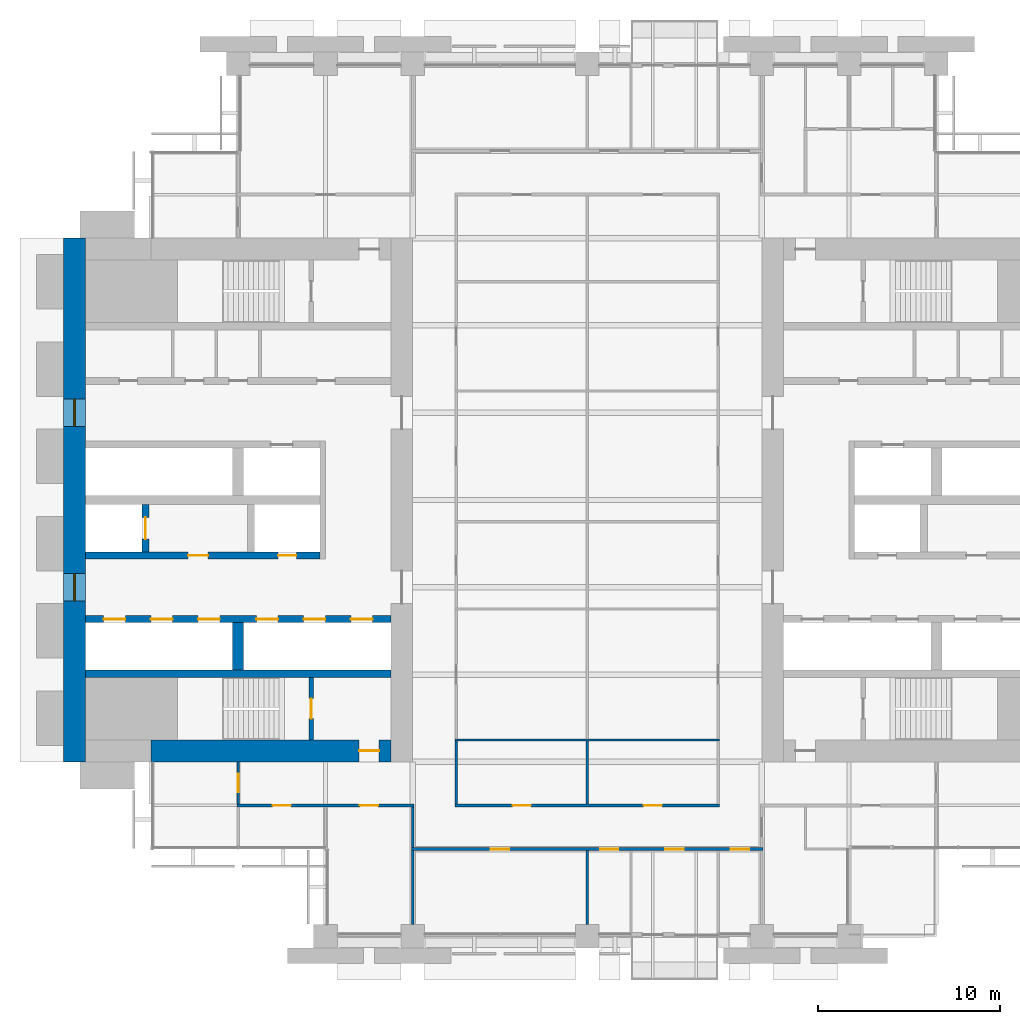
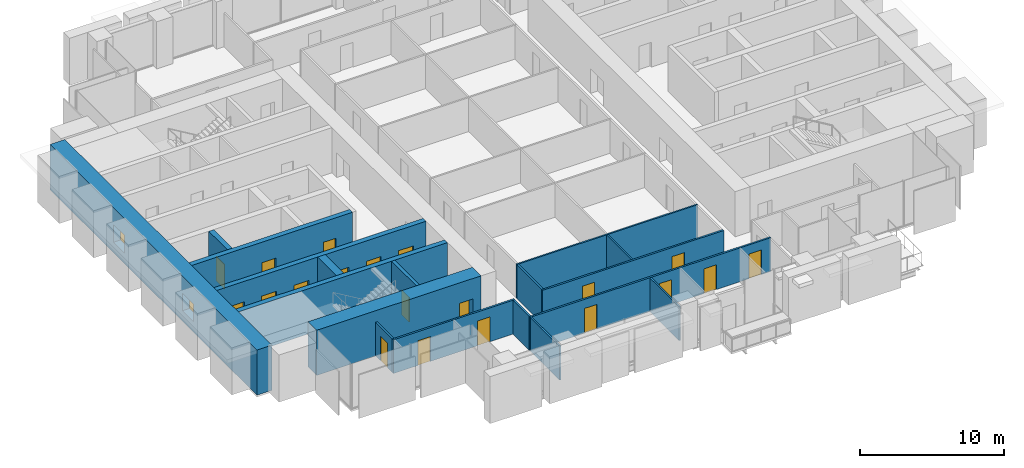
# One storey, part 9 of 15: 20 doors, 18 walls, 2 windows, 22 openings.
"""IFC4 building model written with IfcOpenShell, lengths in metres."""

from ifc_helpers import new_model, si_unit, direction, frame, frame_2d, origin, place, context, subcontext, project, spatial, rectangle, extrude, material, layer, layer_set, type_object, element, fill, save


model = new_model("IFC4")

# Units and contexts
model_context = context("Model", 3, precision=1e-05, world=origin(), true_north=direction((0.0, 1.0)))
body_context = subcontext(model_context, "Body", "Model", "MODEL_VIEW")
ifc_project = project(units=[si_unit("LENGTHUNIT", "METRE"), si_unit("AREAUNIT", "SQUARE_METRE"), si_unit("VOLUMEUNIT", "CUBIC_METRE"), si_unit("PLANEANGLEUNIT", "RADIAN"), si_unit("MASSUNIT", "GRAM", prefix="KILO")], contexts=[model_context])

# Site, building, storey
site_placement = place(None, origin())
site = spatial("IfcSite", under=ifc_project, at=site_placement, CompositionType="ELEMENT")
building_placement = place(site_placement, origin())
building = spatial("IfcBuilding", under=site, at=building_placement, Name="Baori Bourse Tower", CompositionType="ELEMENT")
storey_placement = place(building_placement, frame((0.0, 0.0, 59.0)))
storey = spatial("IfcBuildingStorey", under=building, at=storey_placement, Name="L12", CompositionType="ELEMENT", Elevation=59.0)

# Wall, openings, windows
ifc_material_1 = material(Name="Concrete f'c 70 MPa", Category="concrete")
ifc_layer_1 = layer(ifc_material_1, 1.199951171875)
ifc_layer_set_1 = layer_set([ifc_layer_1], Name="Core wall 1200 f'c 70")
wall_type_1 = type_object("IfcWallType", Name="Core wall 1200 f'c 70", PredefinedType="SHEAR", material=ifc_layer_set_1)
wall_1_placement = place(storey_placement, frame((0.60009765625, 9.60009765625, 0.0), z_axis=(0.0, 0.0, 1.0), x_axis=(0.0, 1.0, 0.0)))
wall_1 = element("IfcWall", 1, at=wall_1_placement, inside=storey, type_object=wall_type_1, Name="Core wall W01", PredefinedType="SHEAR", context=body_context, shape_type="SweptSolid", body=[
    extrude(rectangle(XDim=28.7998046875, YDim=1.199951171875, at=frame_2d((14.39990234375, 0.0))), origin(), (0.0, 0.0, 1.0), 3.840087890625),
])
opening_1_placement = place(wall_1_placement, frame((8.85009765625, 0.0, 0.89990234375)))
opening_1 = element("IfcOpeningElement", 2, at=opening_1_placement, cuts=wall_1, Name="Opening L12-KW101", PredefinedType="OPENING", context=body_context, shape_type="SweptSolid", body=[
    extrude(rectangle(XDim=1.5, YDim=1.5, at=frame_2d((0.75, 0.75))), frame((0.0, 0.60986328125, 0.0), z_axis=(0.0, -1.0, 0.0), x_axis=(1.0, 0.0, 0.0)), (0.0, 0.0, 1.0), 1.219970703125),
])
opening_2_placement = place(wall_1_placement, frame((18.449951171875, 0.0, 0.89990234375)))
opening_2 = element("IfcOpeningElement", 3, at=opening_2_placement, cuts=wall_1, Name="Opening L12-KW102", PredefinedType="OPENING", context=body_context, shape_type="SweptSolid", body=[
    extrude(rectangle(XDim=1.5, YDim=1.5, at=frame_2d((0.75, 0.75))), frame((0.0, 0.60986328125, 0.0), z_axis=(0.0, -1.0, 0.0), x_axis=(1.0, 0.0, 0.0)), (0.0, 0.0, 1.0), 1.219970703125),
])
ifc_material_2 = material(Name="Pale anodised aluminium", Category="aluminium")
window_type = type_object("IfcWindowType", Name="Lobby window 1500 x 1500", PartitioningType="SINGLE_PANEL", PredefinedType="WINDOW", material=ifc_material_2)
window_1_placement = place(opening_1_placement, origin())
window_1 = element("IfcWindow", 4, at=window_1_placement, inside=storey, type_object=window_type, Name="Outer wall window W L12 1", OverallHeight=1.5, OverallWidth=1.5, PartitioningType="SINGLE_PANEL", PredefinedType="WINDOW", context=body_context, shape_type="SweptSolid", body=[
    extrude(rectangle(XDim=1.5, YDim=1.5, at=frame_2d((0.75, 0.75))), frame((0.0, 0.030029296875, 0.0), z_axis=(0.0, -1.0, 0.0), x_axis=(1.0, 0.0, 0.0)), (0.0, 0.0, 1.0), 0.06005859375),
])
fill(opening_1, window_1)
window_2_placement = place(opening_2_placement, origin())
window_2 = element("IfcWindow", 5, at=window_2_placement, inside=storey, type_object=window_type, Name="Outer wall window W L12 2", OverallHeight=1.5, OverallWidth=1.5, PartitioningType="SINGLE_PANEL", PredefinedType="WINDOW", context=body_context, shape_type="SweptSolid", body=[
    extrude(rectangle(XDim=1.5, YDim=1.5, at=frame_2d((0.75, 0.75))), frame((0.0, 0.030029296875, 0.0), z_axis=(0.0, -1.0, 0.0), x_axis=(1.0, 0.0, 0.0)), (0.0, 0.0, 1.0), 0.06005859375),
])
fill(opening_2, window_2)

# Wall, opening, door
wall_2_placement = place(storey_placement, frame((18.0, 10.199951171875, 0.0), z_axis=(0.0, 0.0, 1.0), x_axis=(-1.0, 0.0, 0.0)))
wall_2 = element("IfcWall", 6, at=wall_2_placement, inside=storey, type_object=wall_type_1, Name="Core wall W03", PredefinedType="SHEAR", context=body_context, shape_type="SweptSolid", body=[
    extrude(rectangle(XDim=13.199951171875, YDim=1.199951171875, at=frame_2d((6.60009765625, 0.0))), origin(), (0.0, 0.0, 1.0), 3.840087890625),
])
opening_3_placement = place(wall_2_placement, frame((0.64990234375, 0.0, 0.0)))
opening_3 = element("IfcOpeningElement", 7, at=opening_3_placement, cuts=wall_2, Name="Opening L12-D102", PredefinedType="OPENING", context=body_context, shape_type="SweptSolid", body=[
    extrude(rectangle(XDim=1.10009765625, YDim=2.10009765625, at=frame_2d((0.550048828125, 1.050048828125))), frame((0.0, 0.60986328125, 0.0), z_axis=(0.0, -1.0, 0.0), x_axis=(1.0, 0.0, 0.0)), (0.0, 0.0, 1.0), 1.219970703125),
])
ifc_material_3 = material(Name="Painted steel door", Category="steel")
door_type_1 = type_object("IfcDoorType", Name="Stair door 1100", OperationType="SINGLE_SWING_LEFT", PredefinedType="DOOR", material=ifc_material_3)
door_1_placement = place(opening_3_placement, origin())
door_1 = element("IfcDoor", 8, at=door_1_placement, inside=storey, type_object=door_type_1, Name="Stair vestibule door A W L12", OperationType="SINGLE_SWING_LEFT", OverallHeight=2.10009765625, OverallWidth=1.10009765625, PredefinedType="DOOR", context=body_context, shape_type="SweptSolid", body=[
    extrude(rectangle(XDim=1.10009765625, YDim=2.10009765625, at=frame_2d((0.550048828125, 1.050048828125))), frame((0.0, 0.02490234375, 0.0), z_axis=(0.0, -1.0, 0.0), x_axis=(1.0, 0.0, 0.0)), (0.0, 0.0, 1.0), 0.050048828125),
])
fill(opening_3, door_1)

# Wall, openings, doors
ifc_material_4 = material(Name="Gypsum board partition")
ifc_layer_2 = layer(ifc_material_4, 0.14990234375)
ifc_layer_set_2 = layer_set([ifc_layer_2], Name="Corridor partition 150")
wall_type_2 = type_object("IfcWallType", Name="Corridor partition 150", PredefinedType="PARTITIONING", material=ifc_layer_set_2)
wall_3_placement = place(storey_placement, frame((19.125, 4.800048828125, 0.0), z_axis=(0.0, 0.0, 1.0), x_axis=(1.0, 0.0, 0.0)))
wall_3 = element("IfcWall", 9, at=wall_3_placement, inside=storey, type_object=wall_type_2, Name="Partition", PredefinedType="PARTITIONING", context=body_context, shape_type="SweptSolid", body=[
    extrude(rectangle(XDim=19.35009765625, YDim=0.14990234375, at=frame_2d((9.675048828125, 0.0))), origin(), (0.0, 0.0, 1.0), 2.86962890625),
])
opening_4_placement = place(wall_3_placement, frame((4.375, 0.0, 0.0)))
opening_4 = element("IfcOpeningElement", 10, at=opening_4_placement, cuts=wall_3, Name="Opening L12-D01", PredefinedType="OPENING", context=body_context, shape_type="SweptSolid", body=[
    extrude(rectangle(XDim=1.0, YDim=2.10009765625, at=frame_2d((0.5, 1.050048828125))), frame((0.0, 0.0849609375, 0.0), z_axis=(0.0, -1.0, 0.0), x_axis=(1.0, 0.0, 0.0)), (0.0, 0.0, 1.0), 0.169921875),
])
opening_5_placement = place(wall_3_placement, frame((10.375, 0.0, 0.0)))
opening_5 = element("IfcOpeningElement", 11, at=opening_5_placement, cuts=wall_3, Name="Opening L12-D02", PredefinedType="OPENING", context=body_context, shape_type="SweptSolid", body=[
    extrude(rectangle(XDim=1.0, YDim=2.10009765625, at=frame_2d((0.5, 1.050048828125))), frame((0.0, 0.0849609375, 0.0), z_axis=(0.0, -1.0, 0.0), x_axis=(1.0, 0.0, 0.0)), (0.0, 0.0, 1.0), 0.169921875),
])
opening_6_placement = place(wall_3_placement, frame((13.97509765625, 0.0, 0.0)))
opening_6 = element("IfcOpeningElement", 12, at=opening_6_placement, cuts=wall_3, Name="Opening L12-D03", PredefinedType="OPENING", context=body_context, shape_type="SweptSolid", body=[
    extrude(rectangle(XDim=1.0, YDim=2.10009765625, at=frame_2d((0.5, 1.050048828125))), frame((0.0, 0.0849609375, 0.0), z_axis=(0.0, -1.0, 0.0), x_axis=(1.0, 0.0, 0.0)), (0.0, 0.0, 1.0), 0.169921875),
])
opening_7_placement = place(wall_3_placement, frame((17.574951171875, 0.0, 0.0)))
opening_7 = element("IfcOpeningElement", 13, at=opening_7_placement, cuts=wall_3, Name="Opening L12-D04", PredefinedType="OPENING", context=body_context, shape_type="SweptSolid", body=[
    extrude(rectangle(XDim=1.0, YDim=2.10009765625, at=frame_2d((0.5, 1.050048828125))), frame((0.0, 0.0849609375, 0.0), z_axis=(0.0, -1.0, 0.0), x_axis=(1.0, 0.0, 0.0)), (0.0, 0.0, 1.0), 0.169921875),
])
ifc_material_5 = material(Name="Timber door leaf", Category="wood")
door_type_2 = type_object("IfcDoorType", Name="Door 1000 x 2100", OperationType="SINGLE_SWING_LEFT", PredefinedType="DOOR", material=ifc_material_5)
door_2_placement = place(opening_4_placement, origin())
door_2 = element("IfcDoor", 14, at=door_2_placement, inside=storey, type_object=door_type_2, Name="Door", OperationType="SINGLE_SWING_LEFT", OverallHeight=2.10009765625, OverallWidth=1.0, PredefinedType="DOOR", context=body_context, shape_type="SweptSolid", body=[
    extrude(rectangle(XDim=1.0, YDim=2.10009765625, at=frame_2d((0.5, 1.050048828125))), frame((0.0, 0.02490234375, 0.0), z_axis=(0.0, -1.0, 0.0), x_axis=(1.0, 0.0, 0.0)), (0.0, 0.0, 1.0), 0.050048828125),
])
fill(opening_4, door_2)
door_3_placement = place(opening_5_placement, origin())
door_3 = element("IfcDoor", 15, at=door_3_placement, inside=storey, type_object=door_type_2, Name="Door", OperationType="SINGLE_SWING_RIGHT", OverallHeight=2.10009765625, OverallWidth=1.0, PredefinedType="DOOR", context=body_context, shape_type="SweptSolid", body=[
    extrude(rectangle(XDim=1.0, YDim=2.10009765625, at=frame_2d((0.5, 1.050048828125))), frame((0.0, 0.02490234375, 0.0), z_axis=(0.0, -1.0, 0.0), x_axis=(1.0, 0.0, 0.0)), (0.0, 0.0, 1.0), 0.050048828125),
])
fill(opening_5, door_3)
door_4_placement = place(opening_6_placement, origin())
door_4 = element("IfcDoor", 16, at=door_4_placement, inside=storey, type_object=door_type_2, Name="Door", OperationType="SINGLE_SWING_RIGHT", OverallHeight=2.10009765625, OverallWidth=1.0, PredefinedType="DOOR", context=body_context, shape_type="SweptSolid", body=[
    extrude(rectangle(XDim=1.0, YDim=2.10009765625, at=frame_2d((0.5, 1.050048828125))), frame((0.0, 0.02490234375, 0.0), z_axis=(0.0, -1.0, 0.0), x_axis=(1.0, 0.0, 0.0)), (0.0, 0.0, 1.0), 0.050048828125),
])
fill(opening_6, door_4)
door_5_placement = place(opening_7_placement, origin())
door_5 = element("IfcDoor", 17, at=door_5_placement, inside=storey, type_object=door_type_2, Name="Door", OperationType="SINGLE_SWING_RIGHT", OverallHeight=2.10009765625, OverallWidth=1.0, PredefinedType="DOOR", context=body_context, shape_type="SweptSolid", body=[
    extrude(rectangle(XDim=1.0, YDim=2.10009765625, at=frame_2d((0.5, 1.050048828125))), frame((0.0, 0.02490234375, 0.0), z_axis=(0.0, -1.0, 0.0), x_axis=(1.0, 0.0, 0.0)), (0.0, 0.0, 1.0), 0.050048828125),
])
fill(opening_7, door_5)

wall_4_placement = place(storey_placement, frame((9.52490234375, 7.199951171875, 0.0), z_axis=(0.0, 0.0, 1.0), x_axis=(1.0, 0.0, 0.0)))
wall_4 = element("IfcWall", 18, at=wall_4_placement, inside=storey, type_object=wall_type_2, Name="Partition", PredefinedType="PARTITIONING", context=body_context, shape_type="SweptSolid", body=[
    extrude(rectangle(XDim=9.75, YDim=0.14990234375, at=frame_2d((4.875, 0.0))), origin(), (0.0, 0.0, 1.0), 2.86962890625),
])
opening_8_placement = place(wall_4_placement, frame((1.97509765625, 0.0, 0.0)))
opening_8 = element("IfcOpeningElement", 19, at=opening_8_placement, cuts=wall_4, Name="Opening L12-D05", PredefinedType="OPENING", context=body_context, shape_type="SweptSolid", body=[
    extrude(rectangle(XDim=1.0, YDim=2.10009765625, at=frame_2d((0.5, 1.050048828125))), frame((0.0, 0.0849609375, 0.0), z_axis=(0.0, -1.0, 0.0), x_axis=(1.0, 0.0, 0.0)), (0.0, 0.0, 1.0), 0.169921875),
])
opening_9_placement = place(wall_4_placement, frame((6.77490234375, 0.0, 0.0)))
opening_9 = element("IfcOpeningElement", 20, at=opening_9_placement, cuts=wall_4, Name="Opening L12-D06", PredefinedType="OPENING", context=body_context, shape_type="SweptSolid", body=[
    extrude(rectangle(XDim=1.0, YDim=2.10009765625, at=frame_2d((0.5, 1.050048828125))), frame((0.0, 0.0849609375, 0.0), z_axis=(0.0, -1.0, 0.0), x_axis=(1.0, 0.0, 0.0)), (0.0, 0.0, 1.0), 0.169921875),
])
door_6_placement = place(opening_8_placement, origin())
door_6 = element("IfcDoor", 21, at=door_6_placement, inside=storey, type_object=door_type_2, Name="Door", OperationType="SINGLE_SWING_LEFT", OverallHeight=2.10009765625, OverallWidth=1.0, PredefinedType="DOOR", context=body_context, shape_type="SweptSolid", body=[
    extrude(rectangle(XDim=1.0, YDim=2.10009765625, at=frame_2d((0.5, 1.050048828125))), frame((0.0, 0.02490234375, 0.0), z_axis=(0.0, -1.0, 0.0), x_axis=(1.0, 0.0, 0.0)), (0.0, 0.0, 1.0), 0.050048828125),
])
fill(opening_8, door_6)
door_7_placement = place(opening_9_placement, origin())
door_7 = element("IfcDoor", 22, at=door_7_placement, inside=storey, type_object=door_type_2, Name="Door", OperationType="SINGLE_SWING_RIGHT", OverallHeight=2.10009765625, OverallWidth=1.0, PredefinedType="DOOR", context=body_context, shape_type="SweptSolid", body=[
    extrude(rectangle(XDim=1.0, YDim=2.10009765625, at=frame_2d((0.5, 1.050048828125))), frame((0.0, 0.02490234375, 0.0), z_axis=(0.0, -1.0, 0.0), x_axis=(1.0, 0.0, 0.0)), (0.0, 0.0, 1.0), 0.050048828125),
])
fill(opening_9, door_7)

wall_5_placement = place(storey_placement, frame((21.52490234375, 7.199951171875, 0.0), z_axis=(0.0, 0.0, 1.0), x_axis=(1.0, 0.0, 0.0)))
wall_5 = element("IfcWall", 23, at=wall_5_placement, inside=storey, type_object=wall_type_2, Name="Partition", PredefinedType="PARTITIONING", context=body_context, shape_type="SweptSolid", body=[
    extrude(rectangle(XDim=14.550048828125, YDim=0.14990234375, at=frame_2d((7.27490234375, 0.0))), origin(), (0.0, 0.0, 1.0), 2.86962890625),
])
opening_10_placement = place(wall_5_placement, frame((3.175048828125, 0.0, 0.0)))
opening_10 = element("IfcOpeningElement", 24, at=opening_10_placement, cuts=wall_5, Name="Opening L12-D07", PredefinedType="OPENING", context=body_context, shape_type="SweptSolid", body=[
    extrude(rectangle(XDim=1.0, YDim=2.10009765625, at=frame_2d((0.5, 1.050048828125))), frame((0.0, 0.0849609375, 0.0), z_axis=(0.0, -1.0, 0.0), x_axis=(1.0, 0.0, 0.0)), (0.0, 0.0, 1.0), 0.169921875),
])
opening_11_placement = place(wall_5_placement, frame((10.375, 0.0, 0.0)))
opening_11 = element("IfcOpeningElement", 25, at=opening_11_placement, cuts=wall_5, Name="Opening L12-D08", PredefinedType="OPENING", context=body_context, shape_type="SweptSolid", body=[
    extrude(rectangle(XDim=1.0, YDim=2.10009765625, at=frame_2d((0.5, 1.050048828125))), frame((0.0, 0.0849609375, 0.0), z_axis=(0.0, -1.0, 0.0), x_axis=(1.0, 0.0, 0.0)), (0.0, 0.0, 1.0), 0.169921875),
])
door_8_placement = place(opening_10_placement, origin())
door_8 = element("IfcDoor", 26, at=door_8_placement, inside=storey, type_object=door_type_2, Name="Door", OperationType="SINGLE_SWING_RIGHT", OverallHeight=2.10009765625, OverallWidth=1.0, PredefinedType="DOOR", context=body_context, shape_type="SweptSolid", body=[
    extrude(rectangle(XDim=1.0, YDim=2.10009765625, at=frame_2d((0.5, 1.050048828125))), frame((0.0, 0.02490234375, 0.0), z_axis=(0.0, -1.0, 0.0), x_axis=(1.0, 0.0, 0.0)), (0.0, 0.0, 1.0), 0.050048828125),
])
fill(opening_10, door_8)
door_9_placement = place(opening_11_placement, origin())
door_9 = element("IfcDoor", 27, at=door_9_placement, inside=storey, type_object=door_type_2, Name="Door", OperationType="SINGLE_SWING_LEFT", OverallHeight=2.10009765625, OverallWidth=1.0, PredefinedType="DOOR", context=body_context, shape_type="SweptSolid", body=[
    extrude(rectangle(XDim=1.0, YDim=2.10009765625, at=frame_2d((0.5, 1.050048828125))), frame((0.0, 0.02490234375, 0.0), z_axis=(0.0, -1.0, 0.0), x_axis=(1.0, 0.0, 0.0)), (0.0, 0.0, 1.0), 0.050048828125),
])
fill(opening_11, door_9)

# Wall, opening, door
wall_6_placement = place(storey_placement, frame((9.60009765625, 7.27490234375, 0.0), z_axis=(0.0, 0.0, 1.0), x_axis=(0.0, 1.0, 0.0)))
wall_6 = element("IfcWall", 28, at=wall_6_placement, inside=storey, type_object=wall_type_2, Name="Partition", PredefinedType="PARTITIONING", context=body_context, shape_type="SweptSolid", body=[
    extrude(rectangle(XDim=2.3251953125, YDim=0.14990234375, at=frame_2d((1.16259765625, 0.0))), origin(), (0.0, 0.0, 1.0), 2.86962890625),
])
opening_12_placement = place(wall_6_placement, frame((0.66259765625, 0.0, 0.0)))
opening_12 = element("IfcOpeningElement", 29, at=opening_12_placement, cuts=wall_6, Name="Opening L12-D21", PredefinedType="OPENING", context=body_context, shape_type="SweptSolid", body=[
    extrude(rectangle(XDim=1.0, YDim=2.10009765625, at=frame_2d((0.5, 1.050048828125))), frame((0.0, 0.0849609375, 0.0), z_axis=(0.0, -1.0, 0.0), x_axis=(1.0, 0.0, 0.0)), (0.0, 0.0, 1.0), 0.169921875),
])
door_10_placement = place(opening_12_placement, origin())
door_10 = element("IfcDoor", 30, at=door_10_placement, inside=storey, type_object=door_type_2, Name="Door", OperationType="SINGLE_SWING_RIGHT", OverallHeight=2.10009765625, OverallWidth=1.0, PredefinedType="DOOR", context=body_context, shape_type="SweptSolid", body=[
    extrude(rectangle(XDim=1.0, YDim=2.10009765625, at=frame_2d((0.5, 1.050048828125))), frame((0.0, 0.02490234375, 0.0), z_axis=(0.0, -1.0, 0.0), x_axis=(1.0, 0.0, 0.0)), (0.0, 0.0, 1.0), 0.050048828125),
])
fill(opening_12, door_10)

# Walls
wall_7_placement = place(storey_placement, frame((19.199951171875, 4.875, 0.0), z_axis=(0.0, 0.0, 1.0), x_axis=(0.0, 1.0, 0.0)))
element("IfcWall", 31, at=wall_7_placement, inside=storey, type_object=wall_type_2, Name="Partition", PredefinedType="PARTITIONING", context=body_context, shape_type="SweptSolid", body=[
    extrude(rectangle(XDim=2.25, YDim=0.14990234375, at=frame_2d((1.125, 0.0))), origin(), (0.0, 0.0, 1.0), 2.86962890625),
])
wall_8_placement = place(storey_placement, frame((21.60009765625, 7.27490234375, 0.0), z_axis=(0.0, 0.0, 1.0), x_axis=(0.0, 1.0, 0.0)))
element("IfcWall", 32, at=wall_8_placement, inside=storey, type_object=wall_type_2, Name="Partition", PredefinedType="PARTITIONING", context=body_context, shape_type="SweptSolid", body=[
    extrude(rectangle(XDim=3.462646484375, YDim=0.14990234375, at=frame_2d((1.7314453125, 0.0))), origin(), (0.0, 0.0, 1.0), 2.86962890625),
])
ifc_material_6 = material(Name="Gypsum board partition")
ifc_layer_3 = layer(ifc_material_6, 0.125)
ifc_layer_set_3 = layer_set([ifc_layer_3], Name="Partition 125")
wall_type_3 = type_object("IfcWallType", Name="Partition 125", PredefinedType="PARTITIONING", material=ifc_layer_set_3)
wall_9_placement = place(storey_placement, frame((21.52490234375, 10.800048828125, 0.0), z_axis=(0.0, 0.0, 1.0), x_axis=(1.0, 0.0, 0.0)))
element("IfcWall", 33, at=wall_9_placement, inside=storey, type_object=wall_type_3, Name="Partition", PredefinedType="PARTITIONING", context=body_context, shape_type="SweptSolid", body=[
    extrude(rectangle(XDim=14.550048828125, YDim=0.125, at=frame_2d((7.27490234375, 0.0))), origin(), (0.0, 0.0, 1.0), 2.86962890625),
])
for number, where, z_axis, x_axis, name in (
    (34, (19.199951171875, 0.64990234375, 0.0), (0.0, 0.0, 1.0), (0.0, 1.0, 0.0), "Partition"),
    (35, (28.800048828125, 0.64990234375, 0.0), (0.0, 0.0, 1.0), (0.0, 1.0, 0.0), "Partition"),
):
    element("IfcWall", number, at=place(storey_placement, frame(where, z_axis=z_axis, x_axis=x_axis)), inside=storey, type_object=wall_type_3, Name=name, PredefinedType="PARTITIONING", context=body_context, shape_type="SweptSolid", body=[
        extrude(rectangle(XDim=4.0751953125, YDim=0.125, at=frame_2d((2.03759765625, 0.0))), origin(), (0.0, 0.0, 1.0), 2.86962890625),
    ])
wall_10_placement = place(storey_placement, frame((28.800048828125, 7.27490234375, 0.0), z_axis=(0.0, 0.0, 1.0), x_axis=(0.0, 1.0, 0.0)))
element("IfcWall", 36, at=wall_10_placement, inside=storey, type_object=wall_type_3, Name="Partition", PredefinedType="PARTITIONING", context=body_context, shape_type="SweptSolid", body=[
    extrude(rectangle(XDim=3.462646484375, YDim=0.125, at=frame_2d((1.7314453125, 0.0))), origin(), (0.0, 0.0, 1.0), 2.86962890625),
])

# Wall, opening, door
ifc_material_7 = material(Name="Concrete f'c 70 MPa", Category="concrete")
ifc_layer_4 = layer(ifc_material_7, 0.25)
ifc_layer_set_4 = layer_set([ifc_layer_4], Name="Shaft wall 250 f'c 70")
wall_type_4 = type_object("IfcWallType", Name="Shaft wall 250 f'c 70", PredefinedType="SHEAR", material=ifc_layer_set_4)
wall_11_placement = place(storey_placement, frame((13.625, 10.800048828125, 0.0), z_axis=(0.0, 0.0, 1.0), x_axis=(0.0, 1.0, 0.0)))
wall_11 = element("IfcWall", 37, at=wall_11_placement, inside=storey, type_object=wall_type_4, Name="Core wall W06", PredefinedType="SHEAR", context=body_context, shape_type="SweptSolid", body=[
    extrude(rectangle(XDim=3.449951171875, YDim=0.25, at=frame_2d((1.72509765625, 0.0))), origin(), (0.0, 0.0, 1.0), 3.840087890625),
])
opening_13_placement = place(wall_11_placement, frame((1.175048828125, 0.0, 0.0)))
opening_13 = element("IfcOpeningElement", 38, at=opening_13_placement, cuts=wall_11, Name="Opening L12-D101", PredefinedType="OPENING", context=body_context, shape_type="SweptSolid", body=[
    extrude(rectangle(XDim=1.10009765625, YDim=2.10009765625, at=frame_2d((0.550048828125, 1.050048828125))), frame((0.0, 0.135009765625, 0.0), z_axis=(0.0, -1.0, 0.0), x_axis=(1.0, 0.0, 0.0)), (0.0, 0.0, 1.0), 0.27001953125),
])
door_11_placement = place(opening_13_placement, origin())
door_11 = element("IfcDoor", 39, at=door_11_placement, inside=storey, type_object=door_type_1, Name="Stair door A W L12", OperationType="SINGLE_SWING_LEFT", OverallHeight=2.10009765625, OverallWidth=1.10009765625, PredefinedType="DOOR", context=body_context, shape_type="SweptSolid", body=[
    extrude(rectangle(XDim=1.10009765625, YDim=2.10009765625, at=frame_2d((0.550048828125, 1.050048828125))), frame((0.0, 0.02490234375, 0.0), z_axis=(0.0, -1.0, 0.0), x_axis=(1.0, 0.0, 0.0)), (0.0, 0.0, 1.0), 0.050048828125),
])
fill(opening_13, door_11)

# Wall
ifc_material_8 = material(Name="Concrete f'c 70 MPa", Category="concrete")
ifc_layer_5 = layer(ifc_material_8, 0.39990234375)
ifc_layer_set_5 = layer_set([ifc_layer_5], Name="Shaft wall 400 f'c 70")
wall_type_5 = type_object("IfcWallType", Name="Shaft wall 400 f'c 70", PredefinedType="SHEAR", material=ifc_layer_set_5)
wall_12_placement = place(storey_placement, frame((1.199951171875, 14.449951171875, 0.0), z_axis=(0.0, 0.0, 1.0), x_axis=(1.0, 0.0, 0.0)))
element("IfcWall", 40, at=wall_12_placement, inside=storey, type_object=wall_type_5, Name="Core wall W07", PredefinedType="SHEAR", context=body_context, shape_type="SweptSolid", body=[
    extrude(rectangle(XDim=16.800048828125, YDim=0.39990234375, at=frame_2d((8.39990234375, 0.0))), origin(), (0.0, 0.0, 1.0), 3.840087890625),
])

# Wall, openings, doors
wall_13_placement = place(storey_placement, frame((1.199951171875, 17.449951171875, 0.0), z_axis=(0.0, 0.0, 1.0), x_axis=(1.0, 0.0, 0.0)))
wall_13 = element("IfcWall", 41, at=wall_13_placement, inside=storey, type_object=wall_type_5, Name="Core wall W09", PredefinedType="SHEAR", context=body_context, shape_type="SweptSolid", body=[
    extrude(rectangle(XDim=16.800048828125, YDim=0.39990234375, at=frame_2d((8.39990234375, 0.0))), origin(), (0.0, 0.0, 1.0), 3.840087890625),
])
opening_14_placement = place(wall_13_placement, frame((1.0, 0.0, 0.0)))
opening_14 = element("IfcOpeningElement", 42, at=opening_14_placement, cuts=wall_13, Name="Opening L12-D113", PredefinedType="OPENING", context=body_context, shape_type="SweptSolid", body=[
    extrude(rectangle(XDim=1.199951171875, YDim=2.10009765625, at=frame_2d((0.60009765625, 1.050048828125))), frame((0.0, 0.2099609375, 0.0), z_axis=(0.0, -1.0, 0.0), x_axis=(1.0, 0.0, 0.0)), (0.0, 0.0, 1.0), 0.419921875),
])
opening_15_placement = place(wall_13_placement, frame((3.60009765625, 0.0, 0.0)))
opening_15 = element("IfcOpeningElement", 43, at=opening_15_placement, cuts=wall_13, Name="Opening L12-D114", PredefinedType="OPENING", context=body_context, shape_type="SweptSolid", body=[
    extrude(rectangle(XDim=1.199951171875, YDim=2.10009765625, at=frame_2d((0.60009765625, 1.050048828125))), frame((0.0, 0.2099609375, 0.0), z_axis=(0.0, -1.0, 0.0), x_axis=(1.0, 0.0, 0.0)), (0.0, 0.0, 1.0), 0.419921875),
])
opening_16_placement = place(wall_13_placement, frame((6.199951171875, 0.0, 0.0)))
opening_16 = element("IfcOpeningElement", 44, at=opening_16_placement, cuts=wall_13, Name="Opening L12-D115", PredefinedType="OPENING", context=body_context, shape_type="SweptSolid", body=[
    extrude(rectangle(XDim=1.199951171875, YDim=2.10009765625, at=frame_2d((0.60009765625, 1.050048828125))), frame((0.0, 0.2099609375, 0.0), z_axis=(0.0, -1.0, 0.0), x_axis=(1.0, 0.0, 0.0)), (0.0, 0.0, 1.0), 0.419921875),
])
opening_17_placement = place(wall_13_placement, frame((9.39990234375, 0.0, 0.0)))
opening_17 = element("IfcOpeningElement", 45, at=opening_17_placement, cuts=wall_13, Name="Opening L12-D116", PredefinedType="OPENING", context=body_context, shape_type="SweptSolid", body=[
    extrude(rectangle(XDim=1.199951171875, YDim=2.10009765625, at=frame_2d((0.60009765625, 1.050048828125))), frame((0.0, 0.2099609375, 0.0), z_axis=(0.0, -1.0, 0.0), x_axis=(1.0, 0.0, 0.0)), (0.0, 0.0, 1.0), 0.419921875),
])
opening_18_placement = place(wall_13_placement, frame((12.0, 0.0, 0.0)))
opening_18 = element("IfcOpeningElement", 46, at=opening_18_placement, cuts=wall_13, Name="Opening L12-D117", PredefinedType="OPENING", context=body_context, shape_type="SweptSolid", body=[
    extrude(rectangle(XDim=1.199951171875, YDim=2.10009765625, at=frame_2d((0.60009765625, 1.050048828125))), frame((0.0, 0.2099609375, 0.0), z_axis=(0.0, -1.0, 0.0), x_axis=(1.0, 0.0, 0.0)), (0.0, 0.0, 1.0), 0.419921875),
])
opening_19_placement = place(wall_13_placement, frame((14.60009765625, 0.0, 0.0)))
opening_19 = element("IfcOpeningElement", 47, at=opening_19_placement, cuts=wall_13, Name="Opening L12-D118", PredefinedType="OPENING", context=body_context, shape_type="SweptSolid", body=[
    extrude(rectangle(XDim=1.199951171875, YDim=2.10009765625, at=frame_2d((0.60009765625, 1.050048828125))), frame((0.0, 0.2099609375, 0.0), z_axis=(0.0, -1.0, 0.0), x_axis=(1.0, 0.0, 0.0)), (0.0, 0.0, 1.0), 0.419921875),
])
ifc_material_9 = material(Name="Stainless steel door", Category="steel")
door_type_3 = type_object("IfcDoorType", Name="Lift landing door", OperationType="DOUBLE_DOOR_SLIDING", PredefinedType="DOOR", material=ifc_material_9)
door_12_placement = place(opening_14_placement, origin())
door_12 = element("IfcDoor", 48, at=door_12_placement, inside=storey, type_object=door_type_3, Name="Lift landing door LR1 W L12", OperationType="DOUBLE_DOOR_SLIDING", OverallHeight=2.10009765625, OverallWidth=1.199951171875, PredefinedType="DOOR", context=body_context, shape_type="SweptSolid", body=[
    extrude(rectangle(XDim=1.199951171875, YDim=2.10009765625, at=frame_2d((0.60009765625, 1.050048828125))), frame((0.0, 0.02490234375, 0.0), z_axis=(0.0, -1.0, 0.0), x_axis=(1.0, 0.0, 0.0)), (0.0, 0.0, 1.0), 0.050048828125),
])
fill(opening_14, door_12)
door_13_placement = place(opening_15_placement, origin())
door_13 = element("IfcDoor", 49, at=door_13_placement, inside=storey, type_object=door_type_3, Name="Lift landing door LR2 W L12", OperationType="DOUBLE_DOOR_SLIDING", OverallHeight=2.10009765625, OverallWidth=1.199951171875, PredefinedType="DOOR", context=body_context, shape_type="SweptSolid", body=[
    extrude(rectangle(XDim=1.199951171875, YDim=2.10009765625, at=frame_2d((0.60009765625, 1.050048828125))), frame((0.0, 0.02490234375, 0.0), z_axis=(0.0, -1.0, 0.0), x_axis=(1.0, 0.0, 0.0)), (0.0, 0.0, 1.0), 0.050048828125),
])
fill(opening_15, door_13)
door_14_placement = place(opening_16_placement, origin())
door_14 = element("IfcDoor", 50, at=door_14_placement, inside=storey, type_object=door_type_3, Name="Lift landing door LR3 W L12", OperationType="DOUBLE_DOOR_SLIDING", OverallHeight=2.10009765625, OverallWidth=1.199951171875, PredefinedType="DOOR", context=body_context, shape_type="SweptSolid", body=[
    extrude(rectangle(XDim=1.199951171875, YDim=2.10009765625, at=frame_2d((0.60009765625, 1.050048828125))), frame((0.0, 0.02490234375, 0.0), z_axis=(0.0, -1.0, 0.0), x_axis=(1.0, 0.0, 0.0)), (0.0, 0.0, 1.0), 0.050048828125),
])
fill(opening_16, door_14)
door_15_placement = place(opening_17_placement, origin())
door_15 = element("IfcDoor", 51, at=door_15_placement, inside=storey, type_object=door_type_3, Name="Lift landing door LR4 W L12", OperationType="DOUBLE_DOOR_SLIDING", OverallHeight=2.10009765625, OverallWidth=1.199951171875, PredefinedType="DOOR", context=body_context, shape_type="SweptSolid", body=[
    extrude(rectangle(XDim=1.199951171875, YDim=2.10009765625, at=frame_2d((0.60009765625, 1.050048828125))), frame((0.0, 0.02490234375, 0.0), z_axis=(0.0, -1.0, 0.0), x_axis=(1.0, 0.0, 0.0)), (0.0, 0.0, 1.0), 0.050048828125),
])
fill(opening_17, door_15)
door_16_placement = place(opening_18_placement, origin())
door_16 = element("IfcDoor", 52, at=door_16_placement, inside=storey, type_object=door_type_3, Name="Lift landing door LR5 W L12", OperationType="DOUBLE_DOOR_SLIDING", OverallHeight=2.10009765625, OverallWidth=1.199951171875, PredefinedType="DOOR", context=body_context, shape_type="SweptSolid", body=[
    extrude(rectangle(XDim=1.199951171875, YDim=2.10009765625, at=frame_2d((0.60009765625, 1.050048828125))), frame((0.0, 0.02490234375, 0.0), z_axis=(0.0, -1.0, 0.0), x_axis=(1.0, 0.0, 0.0)), (0.0, 0.0, 1.0), 0.050048828125),
])
fill(opening_18, door_16)
door_17_placement = place(opening_19_placement, origin())
door_17 = element("IfcDoor", 53, at=door_17_placement, inside=storey, type_object=door_type_3, Name="Lift landing door LR6 W L12", OperationType="DOUBLE_DOOR_SLIDING", OverallHeight=2.10009765625, OverallWidth=1.199951171875, PredefinedType="DOOR", context=body_context, shape_type="SweptSolid", body=[
    extrude(rectangle(XDim=1.199951171875, YDim=2.10009765625, at=frame_2d((0.60009765625, 1.050048828125))), frame((0.0, 0.02490234375, 0.0), z_axis=(0.0, -1.0, 0.0), x_axis=(1.0, 0.0, 0.0)), (0.0, 0.0, 1.0), 0.050048828125),
])
fill(opening_19, door_17)

wall_14_placement = place(storey_placement, frame((1.199951171875, 20.949951171875, 0.0), z_axis=(0.0, 0.0, 1.0), x_axis=(1.0, 0.0, 0.0)))
wall_14 = element("IfcWall", 54, at=wall_14_placement, inside=storey, type_object=wall_type_5, Name="Core wall W10", PredefinedType="SHEAR", context=body_context, shape_type="SweptSolid", body=[
    extrude(rectangle(XDim=12.900146484375, YDim=0.39990234375, at=frame_2d((6.4501953125, 0.0))), origin(), (0.0, 0.0, 1.0), 3.840087890625),
])
opening_20_placement = place(wall_14_placement, frame((5.64990234375, 0.0, 0.0)))
opening_20 = element("IfcOpeningElement", 55, at=opening_20_placement, cuts=wall_14, Name="Opening L12-D105", PredefinedType="OPENING", context=body_context, shape_type="SweptSolid", body=[
    extrude(rectangle(XDim=1.10009765625, YDim=2.10009765625, at=frame_2d((0.550048828125, 1.050048828125))), frame((0.0, 0.2099609375, 0.0), z_axis=(0.0, -1.0, 0.0), x_axis=(1.0, 0.0, 0.0)), (0.0, 0.0, 1.0), 0.419921875),
])
opening_21_placement = place(wall_14_placement, frame((10.60009765625, 0.0, 0.0)))
opening_21 = element("IfcOpeningElement", 56, at=opening_21_placement, cuts=wall_14, Name="Opening L12-D106", PredefinedType="OPENING", context=body_context, shape_type="SweptSolid", body=[
    extrude(rectangle(XDim=1.0, YDim=2.10009765625, at=frame_2d((0.5, 1.050048828125))), frame((0.0, 0.2099609375, 0.0), z_axis=(0.0, -1.0, 0.0), x_axis=(1.0, 0.0, 0.0)), (0.0, 0.0, 1.0), 0.419921875),
])
ifc_material_10 = material(Name="Painted steel door", Category="steel")
door_type_4 = type_object("IfcDoorType", Name="Lobby door 1100", OperationType="SINGLE_SWING_LEFT", PredefinedType="DOOR", material=ifc_material_10)
door_18_placement = place(opening_20_placement, origin())
door_18 = element("IfcDoor", 57, at=door_18_placement, inside=storey, type_object=door_type_4, Name="Firefighting lobby door W L12", OperationType="SINGLE_SWING_LEFT", OverallHeight=2.10009765625, OverallWidth=1.10009765625, PredefinedType="DOOR", context=body_context, shape_type="SweptSolid", body=[
    extrude(rectangle(XDim=1.10009765625, YDim=2.10009765625, at=frame_2d((0.550048828125, 1.050048828125))), frame((0.0, 0.02490234375, 0.0), z_axis=(0.0, -1.0, 0.0), x_axis=(1.0, 0.0, 0.0)), (0.0, 0.0, 1.0), 0.050048828125),
])
fill(opening_20, door_18)
ifc_material_11 = material(Name="Painted steel door", Category="steel")
door_type_5 = type_object("IfcDoorType", Name="Shaft door 1000", OperationType="SINGLE_SWING_LEFT", PredefinedType="DOOR", material=ifc_material_11)
door_19_placement = place(opening_21_placement, origin())
door_19 = element("IfcDoor", 58, at=door_19_placement, inside=storey, type_object=door_type_5, Name="Riser room door W L12", OperationType="SINGLE_SWING_LEFT", OverallHeight=2.10009765625, OverallWidth=1.0, PredefinedType="DOOR", context=body_context, shape_type="SweptSolid", body=[
    extrude(rectangle(XDim=1.0, YDim=2.10009765625, at=frame_2d((0.5, 1.050048828125))), frame((0.0, 0.02490234375, 0.0), z_axis=(0.0, -1.0, 0.0), x_axis=(1.0, 0.0, 0.0)), (0.0, 0.0, 1.0), 0.050048828125),
])
fill(opening_21, door_19)

# Wall, opening, door
wall_15_placement = place(storey_placement, frame((4.5, 21.14990234375, 0.0), z_axis=(0.0, 0.0, 1.0), x_axis=(0.0, 1.0, 0.0)))
wall_15 = element("IfcWall", 59, at=wall_15_placement, inside=storey, type_object=wall_type_5, Name="Core wall W12", PredefinedType="SHEAR", context=body_context, shape_type="SweptSolid", body=[
    extrude(rectangle(XDim=2.60009765625, YDim=0.39990234375, at=frame_2d((1.300048828125, 0.0))), origin(), (0.0, 0.0, 1.0), 3.840087890625),
])
opening_22_placement = place(wall_15_placement, frame((0.699951171875, 0.0, 0.0)))
opening_22 = element("IfcOpeningElement", 60, at=opening_22_placement, cuts=wall_15, Name="Opening L12-D120", PredefinedType="OPENING", context=body_context, shape_type="SweptSolid", body=[
    extrude(rectangle(XDim=1.199951171875, YDim=2.10009765625, at=frame_2d((0.60009765625, 1.050048828125))), frame((0.0, 0.2099609375, 0.0), z_axis=(0.0, -1.0, 0.0), x_axis=(1.0, 0.0, 0.0)), (0.0, 0.0, 1.0), 0.419921875),
])
door_20_placement = place(opening_22_placement, origin())
door_20 = element("IfcDoor", 61, at=door_20_placement, inside=storey, type_object=door_type_3, Name="Lift landing door FF1 W L12", OperationType="DOUBLE_DOOR_SLIDING", OverallHeight=2.10009765625, OverallWidth=1.199951171875, PredefinedType="DOOR", context=body_context, shape_type="SweptSolid", body=[
    extrude(rectangle(XDim=1.199951171875, YDim=2.10009765625, at=frame_2d((0.60009765625, 1.050048828125))), frame((0.0, 0.02490234375, 0.0), z_axis=(0.0, -1.0, 0.0), x_axis=(1.0, 0.0, 0.0)), (0.0, 0.0, 1.0), 0.050048828125),
])
fill(opening_22, door_20)

# Wall
ifc_material_12 = material(Name="Concrete f'c 70 MPa", Category="concrete")
ifc_layer_6 = layer(ifc_material_12, 0.60009765625)
ifc_layer_set_6 = layer_set([ifc_layer_6], Name="Shaft wall 600 f'c 70")
wall_type_6 = type_object("IfcWallType", Name="Shaft wall 600 f'c 70", PredefinedType="SHEAR", material=ifc_layer_set_6)
wall_16_placement = place(storey_placement, frame((9.60009765625, 14.64990234375, 0.0), z_axis=(0.0, 0.0, 1.0), x_axis=(0.0, 1.0, 0.0)))
element("IfcWall", 62, at=wall_16_placement, inside=storey, type_object=wall_type_6, Name="Core wall W08", PredefinedType="SHEAR", context=body_context, shape_type="SweptSolid", body=[
    extrude(rectangle(XDim=2.60009765625, YDim=0.60009765625, at=frame_2d((1.300048828125, 0.0))), origin(), (0.0, 0.0, 1.0), 3.840087890625),
])

save(model, "model.ifc")
